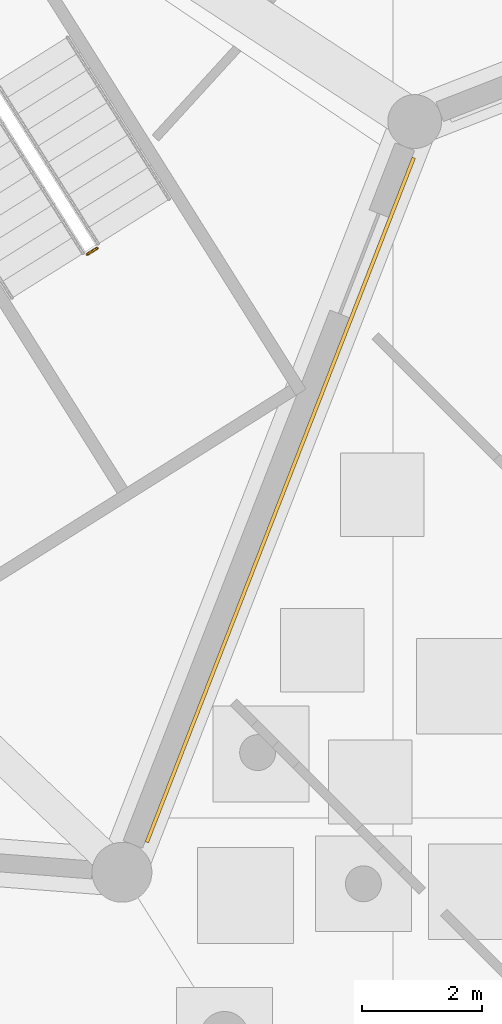
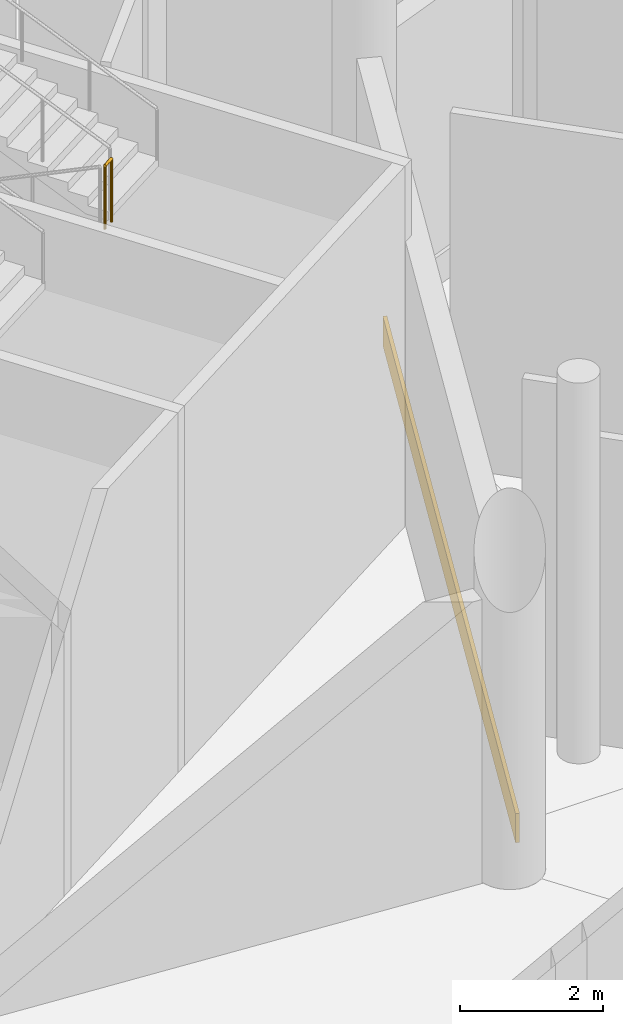
# One storey, part 211 of 255: 1 covering, 1 railing.
"""IFC4 building model written with IfcOpenShell, lengths in metres."""

import ifcopenshell
import ifcopenshell.guid

model = None  # the IFC model being written
_history = None  # IfcOwnerHistory: only IFC2X3 demands one
_inside = {}  # id of a spatial element -> (the spatial element, [elements in it])
_under = {}  # id of a project, library or spatial element -> (it, [spatial elements below it])
_declared = {}  # id of a project -> (the project, [libraries it declares])
_typed = {}  # id of a type object -> (the type object, [elements of that type])
_made_of = {}  # id of a material, layer set ... -> (it, [elements and type objects made of it])


def new_model(schema):
    """Start an empty IFC model of exactly this schema.

    Asked for "IFC4X3", IfcOpenShell would pick the latest addendum, in which some entities
    have other attributes; the version numbers below select the first issue.
    IFC2X3 requires an IfcOwnerHistory on every rooted entity: one is made here for all.
    """
    global model, _history
    if schema == "IFC4X3":
        model = ifcopenshell.file(schema_version=(4, 3, 0, 0))
    else:
        model = ifcopenshell.file(schema=schema)
    _inside.clear()
    _under.clear()
    _declared.clear()
    _typed.clear()
    _made_of.clear()
    _history = None
    if model.schema == "IFC2X3":
        org = make("IfcOrganization", Name="unknown")
        user = make(
            "IfcPersonAndOrganization",
            ThePerson=make("IfcPerson", FamilyName="unknown"),
            TheOrganization=org,
        )
        app = make(
            "IfcApplication",
            ApplicationDeveloper=org,
            Version="unknown",
            ApplicationFullName="unknown",
            ApplicationIdentifier="unknown",
        )
        _history = make(
            "IfcOwnerHistory",
            OwningUser=user,
            OwningApplication=app,
            ChangeAction="ADDED",
            CreationDate=0,
        )
    return model


def make(cls, **values):
    """One entity of the class cls with the attributes given. An attribute that is None is left unset."""
    return model.create_entity(
        cls, **{name: value for name, value in values.items() if value is not None}
    )


def rooted(cls, **values):
    """An entity with a GlobalId (a new one), such as an element, a storey or a relation."""
    return make(cls, GlobalId=ifcopenshell.guid.new(), OwnerHistory=_history, **values)


def si_unit(unit_type, name, prefix=None):
    """IfcSIUnit, for example si_unit("LENGTHUNIT", "METRE", prefix="MILLI")."""
    return make("IfcSIUnit", UnitType=unit_type, Prefix=prefix, Name=name)


def assignment(units):
    """IfcUnitAssignment: the units of a project."""
    return None if units is None else make("IfcUnitAssignment", Units=units)


def point(xyz):
    """IfcCartesianPoint."""
    return None if xyz is None else make("IfcCartesianPoint", Coordinates=xyz)


def direction(xyz):
    """IfcDirection."""
    return None if xyz is None else make("IfcDirection", DirectionRatios=xyz)


def frame(location, z_axis=None, x_axis=None):
    """IfcAxis2Placement3D, a coordinate frame: its origin and axes. An axis left out is left unset."""
    return make(
        "IfcAxis2Placement3D",
        Location=point(location),
        Axis=direction(z_axis),
        RefDirection=direction(x_axis),
    )


def frame_2d(location, x_axis=None):
    """IfcAxis2Placement2D, a coordinate frame in the plane: its origin and x axis."""
    return make(
        "IfcAxis2Placement2D", Location=point(location), RefDirection=direction(x_axis)
    )


def origin():
    """The frame at (0, 0, 0) with its axes left unset."""
    return frame((0.0, 0.0, 0.0))


def origin_2d():
    """The frame at (0, 0) in the plane with its x axis left unset."""
    return frame_2d((0.0, 0.0))


def place(relative_to, where):
    """IfcLocalPlacement: puts the frame where relative to a parent placement (None: the world)."""
    return make(
        "IfcLocalPlacement", PlacementRelTo=relative_to, RelativePlacement=where
    )


def context(
    kind, dimensions, precision=None, world=None, true_north=None, identifier=None
):
    """IfcGeometricRepresentationContext, for example the 3D "Model" context."""
    return make(
        "IfcGeometricRepresentationContext",
        ContextIdentifier=identifier,
        ContextType=kind,
        CoordinateSpaceDimension=dimensions,
        Precision=precision,
        WorldCoordinateSystem=world,
        TrueNorth=true_north,
    )


def subcontext(parent, identifier, kind, view, scale=None):
    """IfcGeometricRepresentationSubContext, for example "Body" below "Model"."""
    return make(
        "IfcGeometricRepresentationSubContext",
        ContextIdentifier=identifier,
        ContextType=kind,
        ParentContext=parent,
        TargetScale=scale,
        TargetView=view,
    )


def project(units=None, contexts=None):
    """IfcProject with its units and contexts."""
    return rooted(
        "IfcProject",
        Name="project",
        RepresentationContexts=contexts,
        UnitsInContext=assignment(units),
    )


def spatial(cls, under=None, at=None, **own):
    """A site, building, storey or space (cls), placed at a placement, below another one or the project."""
    s = rooted(cls, ObjectPlacement=at, **own)
    if under is not None:
        _under.setdefault(under.id(), (under, []))[1].append(s)
    return s


def profile(cls, at=None, kind="AREA", **sizes):
    """A parametric profile (cls). Its sizes go by their IFC names, for example OverallWidth=200.0."""
    return make(cls, ProfileType=kind, Position=at, **sizes)


def rectangle(**sizes):
    """IfcRectangleProfileDef."""
    return profile("IfcRectangleProfileDef", **sizes)


def circle(**sizes):
    """IfcCircleProfileDef."""
    return profile("IfcCircleProfileDef", **sizes)


def extrude(swept, where, along, depth):
    """IfcExtrudedAreaSolid: the profile swept, set in the frame where, extruded along a direction by depth."""
    return make(
        "IfcExtrudedAreaSolid",
        SweptArea=swept,
        Position=where,
        ExtrudedDirection=direction(along),
        Depth=depth,
    )


def shape(context_of_items, identifier, shape_type, items):
    """IfcShapeRepresentation: the items that make up one representation, for example the "Body"."""
    return make(
        "IfcShapeRepresentation",
        ContextOfItems=context_of_items,
        RepresentationIdentifier=identifier,
        RepresentationType=shape_type,
        Items=items,
    )


def material(Name=None, Category=None):
    """IfcMaterial."""
    return make("IfcMaterial", Name=Name, Category=Category)


def layer(
    of_material, thickness, ventilated=None, Name=None, Category=None, Priority=None
):
    """IfcMaterialLayer: one layer of a wall or slab, of a material (None: an air gap)."""
    return make(
        "IfcMaterialLayer",
        Material=of_material,
        LayerThickness=thickness,
        IsVentilated=ventilated,
        Name=Name,
        Category=Category,
        Priority=Priority,
    )


def layer_set(layers, Name=None):
    """IfcMaterialLayerSet."""
    return make("IfcMaterialLayerSet", MaterialLayers=layers, LayerSetName=Name)


def made_of(thing, what):
    """Note that an element or type object is made of a material, layer set ...; save() writes the relation."""
    if what is not None:
        _made_of.setdefault(what.id(), (what, []))[1].append(thing)
    return thing


def type_object(cls, material=None, **own):
    """A type object (cls), such as IfcWallType, which elements share."""
    return made_of(rooted(cls, **own), material)


def element(
    cls,
    number,
    at=None,
    inside=None,
    cuts=None,
    type_object=None,
    material=None,
    context=None,
    identifier="Body",
    shape_type=None,
    held_by="IfcProductDefinitionShape",
    body=None,
    shapes=None,
    **own,
):
    """One element of the class cls, such as IfcWall. Its Tag is "e" and its number.

    at: its placement. inside: the storey or other place that contains it. cuts: it is an
    opening in that element (IfcRelVoidsElement). A single representation is given by context,
    identifier, shape_type and body (its items); several are given by shapes. held_by: the class
    of the entity that holds the representations. save() writes the other relations.
    """
    e = rooted(cls, Tag="e%d" % number, ObjectPlacement=at, **own)
    if body is not None:
        shapes = [shape(context, identifier, shape_type, body)]
    if shapes is not None:
        e.Representation = make(held_by, Representations=shapes)
    if inside is not None:
        _inside.setdefault(inside.id(), (inside, []))[1].append(e)
    if cuts is not None:
        rooted(
            "IfcRelVoidsElement", RelatingBuildingElement=cuts, RelatedOpeningElement=e
        )
    if type_object is not None:
        _typed.setdefault(type_object.id(), (type_object, []))[1].append(e)
    return made_of(e, material)


def aggregate(whole, parts):
    """IfcRelAggregates: a whole, such as a stair, and the parts it consists of."""
    return rooted("IfcRelAggregates", RelatingObject=whole, RelatedObjects=parts)


def save(model, path):
    """Write the relations noted so far, then the file.

    IfcRelAggregates (storeys below a building ...), IfcRelContainedInSpatialStructure (elements
    in a storey), IfcRelDefinesByType, IfcRelAssociatesMaterial and IfcRelDeclares: one each for
    every whole, place, type object, material and project.
    """
    for whole, parts in _under.values():
        aggregate(whole, parts)
    for where, things in _inside.values():
        rooted(
            "IfcRelContainedInSpatialStructure",
            RelatedElements=things,
            RelatingStructure=where,
        )
    for kind, things in _typed.values():
        rooted("IfcRelDefinesByType", RelatedObjects=things, RelatingType=kind)
    for what, things in _made_of.values():
        rooted("IfcRelAssociatesMaterial", RelatedObjects=things, RelatingMaterial=what)
    for by, libraries in _declared.values():
        rooted("IfcRelDeclares", RelatingContext=by, RelatedDefinitions=libraries)
    model.write(path)


model = new_model("IFC4")

# Units and contexts
model_context = context("Model", 3, precision=1e-05, world=origin(), true_north=direction((0.0, 1.0)))
body_context = subcontext(model_context, "Body", "Model", "MODEL_VIEW")
ifc_project = project(units=[si_unit("LENGTHUNIT", "METRE"), si_unit("AREAUNIT", "SQUARE_METRE"), si_unit("VOLUMEUNIT", "CUBIC_METRE"), si_unit("PLANEANGLEUNIT", "RADIAN"), si_unit("MASSUNIT", "GRAM", prefix="KILO")], contexts=[model_context])

# Site, building, storey
site_placement = place(None, origin())
site = spatial("IfcSite", under=ifc_project, at=site_placement, CompositionType="ELEMENT")
building_placement = place(site_placement, origin())
building = spatial("IfcBuilding", under=site, at=building_placement, Name="Meseta Stadium", CompositionType="ELEMENT")
storey_placement = place(building_placement, origin())
storey = spatial("IfcBuildingStorey", under=building, at=storey_placement, Name="L00", CompositionType="ELEMENT", Elevation=0.0)

# Covering
ifc_material_1 = material(Name="Guadarrama granite cladding", Category="masonry")
ifc_layer = layer(ifc_material_1, 0.06005859375)
ifc_layer_set = layer_set([ifc_layer], Name="Granite plinth cladding 60")
covering_type = type_object("IfcCoveringType", Name="Granite plinth cladding 60", PredefinedType="CLADDING", material=ifc_layer_set)
covering_placement = place(storey_placement, frame((78.1201171875, -90.688232421875, 0.0), z_axis=(0.0, 0.0, 1.0), x_axis=(-0.363280500237, -0.931679815252, 0.0)))
element("IfcCovering", 1, at=covering_placement, inside=storey, type_object=covering_type, Name="Granite plinth L00 F52", PredefinedType="CLADDING", context=body_context, shape_type="SweptSolid", body=[
    extrude(rectangle(XDim=12.273681640625, YDim=0.06005859375, at=origin_2d()), origin(), (0.0, 0.0, 1.0), 0.5),
])

# Railing
ifc_material_2 = material(Name="Steel S355", Category="steel")
railing_type = type_object("IfcRailingType", Name="Stair guard 1100", PredefinedType="GUARDRAIL", material=ifc_material_2)
railing_placement = place(storey_placement, frame((74.893310546875, -86.58544921875, 4.875)))
element("IfcRailing", 2, at=railing_placement, inside=storey, type_object=railing_type, Name="ST108 L00 guard 6", PredefinedType="GUARDRAIL", context=body_context, shape_type="SweptSolid", body=[
    extrude(circle(Radius=0.02392578125, at=origin_2d()), frame((0.0, 0.0, 1.076171875), z_axis=(0.846762178531, 0.531971628011, 0.0), x_axis=(-0.531971628011, 0.846762178531, 0.0)), (0.0, 0.0, 1.0), 0.2001953125),
    extrude(circle(Radius=0.02099609375, at=origin_2d()), origin(), (0.0, 0.0, 1.0), 1.052001953125),
    extrude(circle(Radius=0.02099609375, at=origin_2d()), frame((0.16943359375, 0.1064453125, 0.0)), (0.0, 0.0, 1.0), 1.052001953125),
])

save(model, "model.ifc")
